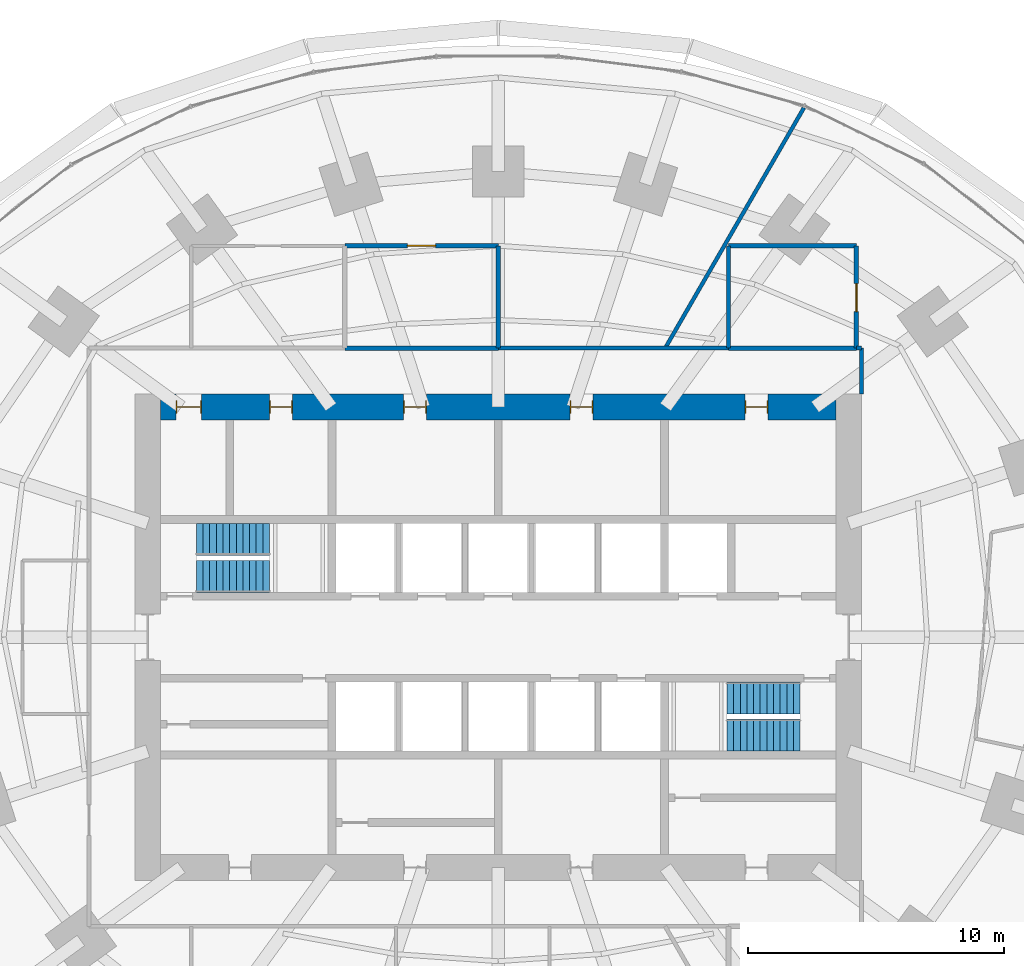
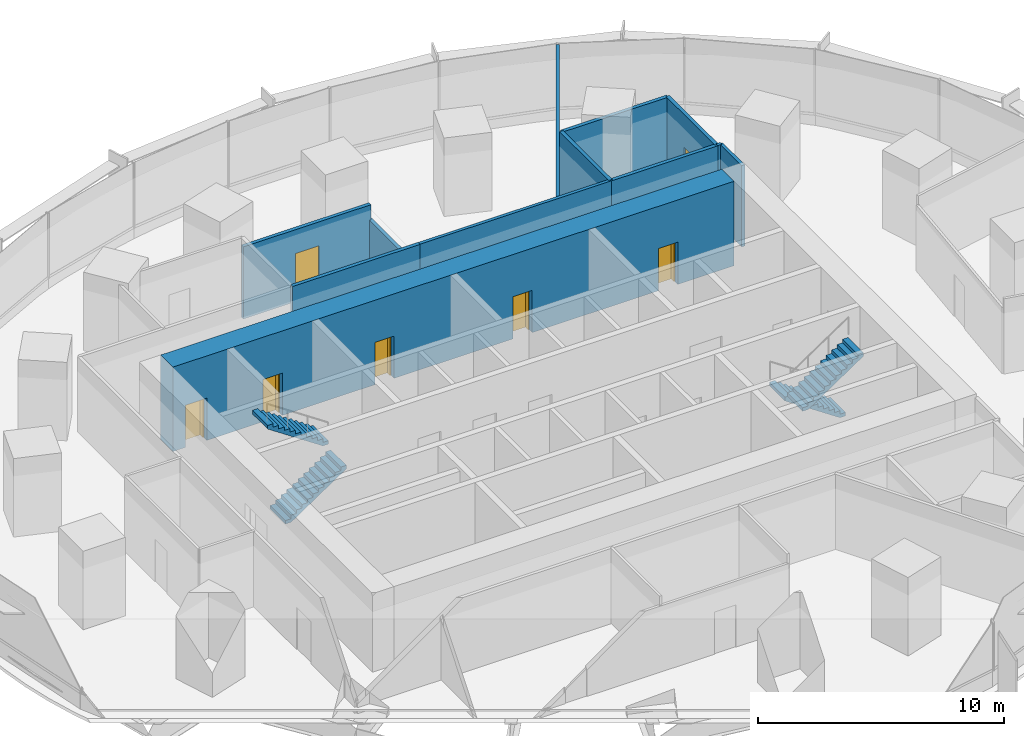
# One storey, part 13 of 15: 12 walls, 7 doors, 4 stair flights, 7 openings, 2 elements without a shape of their own.
"""IFC4 building model written with IfcOpenShell, lengths in metres."""

import ifcopenshell
import ifcopenshell.guid

model = None  # the IFC model being written
_history = None  # IfcOwnerHistory: only IFC2X3 demands one
_inside = {}  # id of a spatial element -> (the spatial element, [elements in it])
_under = {}  # id of a project, library or spatial element -> (it, [spatial elements below it])
_declared = {}  # id of a project -> (the project, [libraries it declares])
_typed = {}  # id of a type object -> (the type object, [elements of that type])
_made_of = {}  # id of a material, layer set ... -> (it, [elements and type objects made of it])


def new_model(schema):
    """Start an empty IFC model of exactly this schema.

    Asked for "IFC4X3", IfcOpenShell would pick the latest addendum, in which some entities
    have other attributes; the version numbers below select the first issue.
    IFC2X3 requires an IfcOwnerHistory on every rooted entity: one is made here for all.
    """
    global model, _history
    if schema == "IFC4X3":
        model = ifcopenshell.file(schema_version=(4, 3, 0, 0))
    else:
        model = ifcopenshell.file(schema=schema)
    _inside.clear()
    _under.clear()
    _declared.clear()
    _typed.clear()
    _made_of.clear()
    _history = None
    if model.schema == "IFC2X3":
        org = make("IfcOrganization", Name="unknown")
        user = make(
            "IfcPersonAndOrganization",
            ThePerson=make("IfcPerson", FamilyName="unknown"),
            TheOrganization=org,
        )
        app = make(
            "IfcApplication",
            ApplicationDeveloper=org,
            Version="unknown",
            ApplicationFullName="unknown",
            ApplicationIdentifier="unknown",
        )
        _history = make(
            "IfcOwnerHistory",
            OwningUser=user,
            OwningApplication=app,
            ChangeAction="ADDED",
            CreationDate=0,
        )
    return model


def make(cls, **values):
    """One entity of the class cls with the attributes given. An attribute that is None is left unset."""
    return model.create_entity(
        cls, **{name: value for name, value in values.items() if value is not None}
    )


def rooted(cls, **values):
    """An entity with a GlobalId (a new one), such as an element, a storey or a relation."""
    return make(cls, GlobalId=ifcopenshell.guid.new(), OwnerHistory=_history, **values)


def si_unit(unit_type, name, prefix=None):
    """IfcSIUnit, for example si_unit("LENGTHUNIT", "METRE", prefix="MILLI")."""
    return make("IfcSIUnit", UnitType=unit_type, Prefix=prefix, Name=name)


def assignment(units):
    """IfcUnitAssignment: the units of a project."""
    return None if units is None else make("IfcUnitAssignment", Units=units)


def point(xyz):
    """IfcCartesianPoint."""
    return None if xyz is None else make("IfcCartesianPoint", Coordinates=xyz)


def direction(xyz):
    """IfcDirection."""
    return None if xyz is None else make("IfcDirection", DirectionRatios=xyz)


def frame(location, z_axis=None, x_axis=None):
    """IfcAxis2Placement3D, a coordinate frame: its origin and axes. An axis left out is left unset."""
    return make(
        "IfcAxis2Placement3D",
        Location=point(location),
        Axis=direction(z_axis),
        RefDirection=direction(x_axis),
    )


def frame_2d(location, x_axis=None):
    """IfcAxis2Placement2D, a coordinate frame in the plane: its origin and x axis."""
    return make(
        "IfcAxis2Placement2D", Location=point(location), RefDirection=direction(x_axis)
    )


def origin():
    """The frame at (0, 0, 0) with its axes left unset."""
    return frame((0.0, 0.0, 0.0))


def place(relative_to, where):
    """IfcLocalPlacement: puts the frame where relative to a parent placement (None: the world)."""
    return make(
        "IfcLocalPlacement", PlacementRelTo=relative_to, RelativePlacement=where
    )


def context(
    kind, dimensions, precision=None, world=None, true_north=None, identifier=None
):
    """IfcGeometricRepresentationContext, for example the 3D "Model" context."""
    return make(
        "IfcGeometricRepresentationContext",
        ContextIdentifier=identifier,
        ContextType=kind,
        CoordinateSpaceDimension=dimensions,
        Precision=precision,
        WorldCoordinateSystem=world,
        TrueNorth=true_north,
    )


def subcontext(parent, identifier, kind, view, scale=None):
    """IfcGeometricRepresentationSubContext, for example "Body" below "Model"."""
    return make(
        "IfcGeometricRepresentationSubContext",
        ContextIdentifier=identifier,
        ContextType=kind,
        ParentContext=parent,
        TargetScale=scale,
        TargetView=view,
    )


def project(units=None, contexts=None):
    """IfcProject with its units and contexts."""
    return rooted(
        "IfcProject",
        Name="project",
        RepresentationContexts=contexts,
        UnitsInContext=assignment(units),
    )


def spatial(cls, under=None, at=None, **own):
    """A site, building, storey or space (cls), placed at a placement, below another one or the project."""
    s = rooted(cls, ObjectPlacement=at, **own)
    if under is not None:
        _under.setdefault(under.id(), (under, []))[1].append(s)
    return s


def polyline(points):
    """IfcPolyline through the points."""
    return make("IfcPolyline", Points=[point(p) for p in points])


def profile(cls, at=None, kind="AREA", **sizes):
    """A parametric profile (cls). Its sizes go by their IFC names, for example OverallWidth=200.0."""
    return make(cls, ProfileType=kind, Position=at, **sizes)


def rectangle(**sizes):
    """IfcRectangleProfileDef."""
    return profile("IfcRectangleProfileDef", **sizes)


def outline(outer, holes=None, kind="AREA"):
    """IfcArbitraryClosedProfileDef: a profile drawn as a closed curve; with holes, ...WithVoids."""
    if holes is None:
        return make("IfcArbitraryClosedProfileDef", ProfileType=kind, OuterCurve=outer)
    return make(
        "IfcArbitraryProfileDefWithVoids",
        ProfileType=kind,
        OuterCurve=outer,
        InnerCurves=holes,
    )


def extrude(swept, where, along, depth):
    """IfcExtrudedAreaSolid: the profile swept, set in the frame where, extruded along a direction by depth."""
    return make(
        "IfcExtrudedAreaSolid",
        SweptArea=swept,
        Position=where,
        ExtrudedDirection=direction(along),
        Depth=depth,
    )


def shape(context_of_items, identifier, shape_type, items):
    """IfcShapeRepresentation: the items that make up one representation, for example the "Body"."""
    return make(
        "IfcShapeRepresentation",
        ContextOfItems=context_of_items,
        RepresentationIdentifier=identifier,
        RepresentationType=shape_type,
        Items=items,
    )


def material(Name=None, Category=None):
    """IfcMaterial."""
    return make("IfcMaterial", Name=Name, Category=Category)


def layer(
    of_material, thickness, ventilated=None, Name=None, Category=None, Priority=None
):
    """IfcMaterialLayer: one layer of a wall or slab, of a material (None: an air gap)."""
    return make(
        "IfcMaterialLayer",
        Material=of_material,
        LayerThickness=thickness,
        IsVentilated=ventilated,
        Name=Name,
        Category=Category,
        Priority=Priority,
    )


def layer_set(layers, Name=None):
    """IfcMaterialLayerSet."""
    return make("IfcMaterialLayerSet", MaterialLayers=layers, LayerSetName=Name)


def made_of(thing, what):
    """Note that an element or type object is made of a material, layer set ...; save() writes the relation."""
    if what is not None:
        _made_of.setdefault(what.id(), (what, []))[1].append(thing)
    return thing


def type_object(cls, material=None, **own):
    """A type object (cls), such as IfcWallType, which elements share."""
    return made_of(rooted(cls, **own), material)


def element(
    cls,
    number,
    at=None,
    inside=None,
    cuts=None,
    type_object=None,
    material=None,
    context=None,
    identifier="Body",
    shape_type=None,
    held_by="IfcProductDefinitionShape",
    body=None,
    shapes=None,
    **own,
):
    """One element of the class cls, such as IfcWall. Its Tag is "e" and its number.

    at: its placement. inside: the storey or other place that contains it. cuts: it is an
    opening in that element (IfcRelVoidsElement). A single representation is given by context,
    identifier, shape_type and body (its items); several are given by shapes. held_by: the class
    of the entity that holds the representations. save() writes the other relations.
    """
    e = rooted(cls, Tag="e%d" % number, ObjectPlacement=at, **own)
    if body is not None:
        shapes = [shape(context, identifier, shape_type, body)]
    if shapes is not None:
        e.Representation = make(held_by, Representations=shapes)
    if inside is not None:
        _inside.setdefault(inside.id(), (inside, []))[1].append(e)
    if cuts is not None:
        rooted(
            "IfcRelVoidsElement", RelatingBuildingElement=cuts, RelatedOpeningElement=e
        )
    if type_object is not None:
        _typed.setdefault(type_object.id(), (type_object, []))[1].append(e)
    return made_of(e, material)


def fill(opening, filler):
    """IfcRelFillsElement: the door or window that sits in an opening."""
    return rooted(
        "IfcRelFillsElement",
        RelatingOpeningElement=opening,
        RelatedBuildingElement=filler,
    )


def aggregate(whole, parts):
    """IfcRelAggregates: a whole, such as a stair, and the parts it consists of."""
    return rooted("IfcRelAggregates", RelatingObject=whole, RelatedObjects=parts)


def save(model, path):
    """Write the relations noted so far, then the file.

    IfcRelAggregates (storeys below a building ...), IfcRelContainedInSpatialStructure (elements
    in a storey), IfcRelDefinesByType, IfcRelAssociatesMaterial and IfcRelDeclares: one each for
    every whole, place, type object, material and project.
    """
    for whole, parts in _under.values():
        aggregate(whole, parts)
    for where, things in _inside.values():
        rooted(
            "IfcRelContainedInSpatialStructure",
            RelatedElements=things,
            RelatingStructure=where,
        )
    for kind, things in _typed.values():
        rooted("IfcRelDefinesByType", RelatedObjects=things, RelatingType=kind)
    for what, things in _made_of.values():
        rooted("IfcRelAssociatesMaterial", RelatedObjects=things, RelatingMaterial=what)
    for by, libraries in _declared.values():
        rooted("IfcRelDeclares", RelatingContext=by, RelatedDefinitions=libraries)
    model.write(path)


model = new_model("IFC4")

# Units and contexts
model_context = context("Model", 3, precision=1e-05, world=origin(), true_north=direction((0.0, 1.0)))
body_context = subcontext(model_context, "Body", "Model", "MODEL_VIEW")
ifc_project = project(units=[si_unit("LENGTHUNIT", "METRE"), si_unit("AREAUNIT", "SQUARE_METRE"), si_unit("VOLUMEUNIT", "CUBIC_METRE"), si_unit("PLANEANGLEUNIT", "RADIAN"), si_unit("MASSUNIT", "GRAM", prefix="KILO")], contexts=[model_context])

# Site, building, storey
site_placement = place(None, origin())
site = spatial("IfcSite", under=ifc_project, at=site_placement, CompositionType="ELEMENT")
building_placement = place(site_placement, origin())
building = spatial("IfcBuilding", under=site, at=building_placement, Name="Marramba Exchange Tower", CompositionType="ELEMENT")
storey_placement = place(building_placement, frame((0.0, 0.0, 78.39990234375)))
storey = spatial("IfcBuildingStorey", under=building, at=storey_placement, Name="L18", CompositionType="ELEMENT", Elevation=78.39990234375)

# Wall, opening, door
ifc_material_1 = material(Name="Plasterboard on staggered double steel studs, acoustic insulation", Category="steel")
ifc_layer_1 = layer(ifc_material_1, 0.169921875)
ifc_layer_set_1 = layer_set([ifc_layer_1], Name="Acoustic partition 170")
wall_type_1 = type_object("IfcWallType", Name="Acoustic partition 170", PredefinedType="PARTITIONING", material=ifc_layer_set_1)
wall_1_placement = place(storey_placement, frame((14.0, 11.300048828125, 0.0), z_axis=(0.0, 0.0, 1.0), x_axis=(0.0, 1.0, 0.0)))
wall_1 = element("IfcWall", 1, at=wall_1_placement, inside=storey, type_object=wall_type_1, Name="Acoustic partition L18 19", PredefinedType="PARTITIONING", context=body_context, shape_type="SweptSolid", body=[
    extrude(rectangle(XDim=4.0, YDim=0.169921875, at=frame_2d((2.0, 0.0))), origin(), (0.0, 0.0, 1.0), 4.0400390625),
])
opening_1_placement = place(wall_1_placement, frame((1.424072265625, 0.0, 0.0)))
opening_1 = element("IfcOpeningElement", 2, at=opening_1_placement, cuts=wall_1, Name="Opening D15", PredefinedType="OPENING", context=body_context, shape_type="SweptSolid", body=[
    extrude(rectangle(XDim=1.10009765625, YDim=2.39990234375, at=frame_2d((0.550048828125, 1.199951171875))), frame((0.0, 0.094970703125, 0.0), z_axis=(0.0, -1.0, 0.0), x_axis=(1.0, 0.0, 0.0)), (0.0, 0.0, 1.0), 0.18994140625),
])
ifc_material_2 = material(Name="Timber door", Category="wood")
door_type_1 = type_object("IfcDoorType", Name="Glazed meeting room door 1100x2400", OperationType="SINGLE_SWING_LEFT", PredefinedType="DOOR", material=ifc_material_2)
door_1_placement = place(opening_1_placement, origin())
door_1 = element("IfcDoor", 3, at=door_1_placement, inside=storey, type_object=door_type_1, Name="D15 Meeting Room 1 L18", OperationType="SINGLE_SWING_LEFT", OverallHeight=2.39990234375, OverallWidth=1.10009765625, PredefinedType="DOOR", context=body_context, shape_type="SweptSolid", body=[
    extrude(rectangle(XDim=1.10009765625, YDim=2.39990234375, at=frame_2d((0.550048828125, 1.199951171875))), frame((0.0, 0.02490234375, 0.0), z_axis=(0.0, -1.0, 0.0), x_axis=(1.0, 0.0, 0.0)), (0.0, 0.0, 1.0), 0.050048828125),
])
fill(opening_1, door_1)

# Walls
for number, where, z_axis, x_axis, name in (
    (4, (9.0, 11.300048828125, 0.0), (0.0, 0.0, 1.0), (1.0, 0.0, 0.0), "Acoustic partition L18 20"),
    (5, (14.0, 15.300048828125, 0.0), (0.0, 0.0, 1.0), (-1.0, 0.0, 0.0), "Acoustic partition L18 21"),
):
    element("IfcWall", number, at=place(storey_placement, frame(where, z_axis=z_axis, x_axis=x_axis)), inside=storey, type_object=wall_type_1, Name=name, PredefinedType="PARTITIONING", context=body_context, shape_type="SweptSolid", body=[
        extrude(rectangle(XDim=5.0, YDim=0.169921875, at=frame_2d((2.5, 0.0))), origin(), (0.0, 0.0, 1.0), 4.0400390625),
    ])
wall_2_placement = place(storey_placement, frame((9.0, 15.300048828125, 0.0), z_axis=(0.0, 0.0, 1.0), x_axis=(0.0, -1.0, 0.0)))
element("IfcWall", 6, at=wall_2_placement, inside=storey, type_object=wall_type_1, Name="Acoustic partition L18 22", PredefinedType="PARTITIONING", context=body_context, shape_type="SweptSolid", body=[
    extrude(rectangle(XDim=4.0, YDim=0.169921875, at=frame_2d((2.0, 0.0))), origin(), (0.0, 0.0, 1.0), 4.0400390625),
])
wall_3_placement = place(storey_placement, frame((0.0, 11.300048828125, 0.0), z_axis=(0.0, 0.0, 1.0), x_axis=(0.0, 1.0, 0.0)))
element("IfcWall", 7, at=wall_3_placement, inside=storey, type_object=wall_type_1, Name="Acoustic partition L18 25", PredefinedType="PARTITIONING", context=body_context, shape_type="SweptSolid", body=[
    extrude(rectangle(XDim=4.0, YDim=0.169921875, at=frame_2d((2.0, 0.0))), origin(), (0.0, 0.0, 1.0), 2.840087890625),
])

# Wall, opening, door
wall_4_placement = place(storey_placement, frame((0.0, 15.300048828125, 0.0), z_axis=(0.0, 0.0, 1.0), x_axis=(-1.0, 0.0, 0.0)))
wall_4 = element("IfcWall", 8, at=wall_4_placement, inside=storey, type_object=wall_type_1, Name="Acoustic partition L18 26", PredefinedType="PARTITIONING", context=body_context, shape_type="SweptSolid", body=[
    extrude(rectangle(XDim=6.0, YDim=0.169921875, at=frame_2d((3.0, 0.0))), origin(), (0.0, 0.0, 1.0), 3.586181640625),
])
opening_2_placement = place(wall_4_placement, frame((2.449951171875, 0.0, 0.0)))
opening_2 = element("IfcOpeningElement", 9, at=opening_2_placement, cuts=wall_4, Name="Opening D15", PredefinedType="OPENING", context=body_context, shape_type="SweptSolid", body=[
    extrude(rectangle(XDim=1.10009765625, YDim=2.39990234375, at=frame_2d((0.550048828125, 1.199951171875))), frame((0.0, 0.094970703125, 0.0), z_axis=(0.0, -1.0, 0.0), x_axis=(1.0, 0.0, 0.0)), (0.0, 0.0, 1.0), 0.18994140625),
])
door_2_placement = place(opening_2_placement, origin())
door_2 = element("IfcDoor", 10, at=door_2_placement, inside=storey, type_object=door_type_1, Name="D15 Meeting Room 2 L18", OperationType="SINGLE_SWING_RIGHT", OverallHeight=2.39990234375, OverallWidth=1.10009765625, PredefinedType="DOOR", context=body_context, shape_type="SweptSolid", body=[
    extrude(rectangle(XDim=1.10009765625, YDim=2.39990234375, at=frame_2d((0.550048828125, 1.199951171875))), frame((0.0, 0.02490234375, 0.0), z_axis=(0.0, -1.0, 0.0), x_axis=(1.0, 0.0, 0.0)), (0.0, 0.0, 1.0), 0.050048828125),
])
fill(opening_2, door_2)

# Wall
wall_5_placement = place(storey_placement, frame((-6.0, 11.300048828125, 0.0), z_axis=(0.0, 0.0, 1.0), x_axis=(1.0, 0.0, 0.0)))
element("IfcWall", 11, at=wall_5_placement, inside=storey, type_object=wall_type_1, Name="Acoustic partition L18 27", PredefinedType="PARTITIONING", context=body_context, shape_type="SweptSolid", body=[
    extrude(rectangle(XDim=6.0, YDim=0.169921875, at=frame_2d((3.0, 0.0))), origin(), (0.0, 0.0, 1.0), 4.0400390625),
])

# Wall, openings, doors
ifc_material_3 = material(Name="Concrete N50", Category="concrete")
ifc_layer_2 = layer(ifc_material_3, 1.0)
ifc_layer_set_2 = layer_set([ifc_layer_2], Name="Core wall 1000")
wall_type_2 = type_object("IfcWallType", Name="Core wall 1000", PredefinedType="SHEAR", material=ifc_layer_set_2)
wall_6_placement = place(storey_placement, frame((13.199951171875, 9.0, 0.0), z_axis=(0.0, 0.0, 1.0), x_axis=(-1.0, 0.0, 0.0)))
wall_6 = element("IfcWall", 12, at=wall_6_placement, inside=storey, type_object=wall_type_2, Name="Core wall N L18", PredefinedType="SHEAR", context=body_context, shape_type="SweptSolid", body=[
    extrude(rectangle(XDim=26.39990234375, YDim=1.0, at=frame_2d((13.199951171875, 0.0))), origin(), (0.0, 0.0, 1.0), 4.2001953125),
])
opening_3_placement = place(wall_6_placement, frame((2.64990234375, 0.0, 0.0)))
opening_3 = element("IfcOpeningElement", 13, at=opening_3_placement, cuts=wall_6, Name="Opening D5", PredefinedType="OPENING", context=body_context, shape_type="SweptSolid", body=[
    extrude(rectangle(XDim=0.89990234375, YDim=2.10009765625, at=frame_2d((0.449951171875, 1.050048828125))), frame((0.0, 0.510009765625, 0.0), z_axis=(0.0, -1.0, 0.0), x_axis=(1.0, 0.0, 0.0)), (0.0, 0.0, 1.0), 1.02001953125),
])
opening_4_placement = place(wall_6_placement, frame((9.5, 0.0, 0.0)))
opening_4 = element("IfcOpeningElement", 14, at=opening_4_placement, cuts=wall_6, Name="Opening D3", PredefinedType="OPENING", context=body_context, shape_type="SweptSolid", body=[
    extrude(rectangle(XDim=0.89990234375, YDim=2.10009765625, at=frame_2d((0.449951171875, 1.050048828125))), frame((0.0, 0.510009765625, 0.0), z_axis=(0.0, -1.0, 0.0), x_axis=(1.0, 0.0, 0.0)), (0.0, 0.0, 1.0), 1.02001953125),
])
opening_5_placement = place(wall_6_placement, frame((16.0, 0.0, 0.0)))
opening_5 = element("IfcOpeningElement", 15, at=opening_5_placement, cuts=wall_6, Name="Opening D3", PredefinedType="OPENING", context=body_context, shape_type="SweptSolid", body=[
    extrude(rectangle(XDim=0.89990234375, YDim=2.10009765625, at=frame_2d((0.449951171875, 1.050048828125))), frame((0.0, 0.510009765625, 0.0), z_axis=(0.0, -1.0, 0.0), x_axis=(1.0, 0.0, 0.0)), (0.0, 0.0, 1.0), 1.02001953125),
])
opening_6_placement = place(wall_6_placement, frame((21.25, 0.0, 0.0)))
opening_6 = element("IfcOpeningElement", 16, at=opening_6_placement, cuts=wall_6, Name="Opening D5", PredefinedType="OPENING", context=body_context, shape_type="SweptSolid", body=[
    extrude(rectangle(XDim=0.89990234375, YDim=2.10009765625, at=frame_2d((0.449951171875, 1.050048828125))), frame((0.0, 0.510009765625, 0.0), z_axis=(0.0, -1.0, 0.0), x_axis=(1.0, 0.0, 0.0)), (0.0, 0.0, 1.0), 1.02001953125),
])
opening_7_placement = place(wall_6_placement, frame((24.800048828125, 0.0, 0.0)))
opening_7 = element("IfcOpeningElement", 17, at=opening_7_placement, cuts=wall_6, Name="Opening D4", PredefinedType="OPENING", context=body_context, shape_type="SweptSolid", body=[
    extrude(rectangle(XDim=1.0, YDim=2.10009765625, at=frame_2d((0.5, 1.050048828125))), frame((0.0, 0.510009765625, 0.0), z_axis=(0.0, -1.0, 0.0), x_axis=(1.0, 0.0, 0.0)), (0.0, 0.0, 1.0), 1.02001953125),
])
ifc_material_4 = material(Name="Steel-framed door", Category="steel")
door_type_2 = type_object("IfcDoorType", Name="Accessible toilet door 1000x2100", OperationType="SINGLE_SWING_LEFT", PredefinedType="DOOR", material=ifc_material_4)
door_3_placement = place(opening_7_placement, origin())
door_3 = element("IfcDoor", 18, at=door_3_placement, inside=storey, type_object=door_type_2, Name="D4 awc L18", OperationType="SINGLE_SWING_RIGHT", OverallHeight=2.10009765625, OverallWidth=1.0, PredefinedType="DOOR", context=body_context, shape_type="SweptSolid", body=[
    extrude(rectangle(XDim=0.919921875, YDim=2.06005859375, at=frame_2d((0.5, 1.030029296875))), frame((0.0, 0.02490234375, 0.0), z_axis=(0.0, -1.0, 0.0), x_axis=(1.0, 0.0, 0.0)), (0.0, 0.0, 1.0), 0.050048828125),
    extrude(rectangle(XDim=0.04, YDim=2.10009765625, at=frame_2d((0.02001953125, 1.050048828125))), frame((0.0, 0.25, 0.0), z_axis=(0.0, -1.0, 0.0), x_axis=(1.0, 0.0, 0.0)), (0.0, 0.0, 1.0), 0.5),
    extrude(rectangle(XDim=0.04, YDim=2.10009765625, at=frame_2d((0.97998046875, 1.050048828125))), frame((0.0, 0.25, 0.0), z_axis=(0.0, -1.0, 0.0), x_axis=(1.0, 0.0, 0.0)), (0.0, 0.0, 1.0), 0.5),
    extrude(rectangle(XDim=0.919921875, YDim=0.04, at=frame_2d((0.5, 2.080078125))), frame((0.0, 0.25, 0.0), z_axis=(0.0, -1.0, 0.0), x_axis=(1.0, 0.0, 0.0)), (0.0, 0.0, 1.0), 0.5),
])
fill(opening_7, door_3)
door_type_3 = type_object("IfcDoorType", Name="Service door 900x2100", OperationType="SINGLE_SWING_LEFT", PredefinedType="DOOR", material=ifc_material_4)
door_4_placement = place(opening_3_placement, origin())
door_4 = element("IfcDoor", 19, at=door_4_placement, inside=storey, type_object=door_type_3, Name="D5 comms L18", OperationType="SINGLE_SWING_LEFT", OverallHeight=2.10009765625, OverallWidth=0.89990234375, PredefinedType="DOOR", context=body_context, shape_type="SweptSolid", body=[
    extrude(rectangle(XDim=0.81982421875, YDim=2.06005859375, at=frame_2d((0.449951171875, 1.030029296875))), frame((0.0, 0.02490234375, 0.0), z_axis=(0.0, -1.0, 0.0), x_axis=(1.0, 0.0, 0.0)), (0.0, 0.0, 1.0), 0.050048828125),
    extrude(rectangle(XDim=0.04, YDim=2.10009765625, at=frame_2d((0.02001953125, 1.050048828125))), frame((0.0, 0.25, 0.0), z_axis=(0.0, -1.0, 0.0), x_axis=(1.0, 0.0, 0.0)), (0.0, 0.0, 1.0), 0.5),
    extrude(rectangle(XDim=0.04, YDim=2.10009765625, at=frame_2d((0.8798828125, 1.050048828125))), frame((0.0, 0.25, 0.0), z_axis=(0.0, -1.0, 0.0), x_axis=(1.0, 0.0, 0.0)), (0.0, 0.0, 1.0), 0.5),
    extrude(rectangle(XDim=0.81982421875, YDim=0.04, at=frame_2d((0.449951171875, 2.080078125))), frame((0.0, 0.25, 0.0), z_axis=(0.0, -1.0, 0.0), x_axis=(1.0, 0.0, 0.0)), (0.0, 0.0, 1.0), 0.5),
])
fill(opening_3, door_4)
door_5_placement = place(opening_6_placement, origin())
door_5 = element("IfcDoor", 20, at=door_5_placement, inside=storey, type_object=door_type_3, Name="D5 cleaner L18", OperationType="SINGLE_SWING_RIGHT", OverallHeight=2.10009765625, OverallWidth=0.89990234375, PredefinedType="DOOR", context=body_context, shape_type="SweptSolid", body=[
    extrude(rectangle(XDim=0.81982421875, YDim=2.06005859375, at=frame_2d((0.449951171875, 1.030029296875))), frame((0.0, 0.02490234375, 0.0), z_axis=(0.0, -1.0, 0.0), x_axis=(1.0, 0.0, 0.0)), (0.0, 0.0, 1.0), 0.050048828125),
    extrude(rectangle(XDim=0.04, YDim=2.10009765625, at=frame_2d((0.02001953125, 1.050048828125))), frame((0.0, 0.25, 0.0), z_axis=(0.0, -1.0, 0.0), x_axis=(1.0, 0.0, 0.0)), (0.0, 0.0, 1.0), 0.5),
    extrude(rectangle(XDim=0.04, YDim=2.10009765625, at=frame_2d((0.8798828125, 1.050048828125))), frame((0.0, 0.25, 0.0), z_axis=(0.0, -1.0, 0.0), x_axis=(1.0, 0.0, 0.0)), (0.0, 0.0, 1.0), 0.5),
    extrude(rectangle(XDim=0.81982421875, YDim=0.04, at=frame_2d((0.449951171875, 2.080078125))), frame((0.0, 0.25, 0.0), z_axis=(0.0, -1.0, 0.0), x_axis=(1.0, 0.0, 0.0)), (0.0, 0.0, 1.0), 0.5),
])
fill(opening_6, door_5)
door_type_4 = type_object("IfcDoorType", Name="Toilet door 900x2100", OperationType="SINGLE_SWING_LEFT", PredefinedType="DOOR", material=ifc_material_4)
door_6_placement = place(opening_4_placement, origin())
door_6 = element("IfcDoor", 21, at=door_6_placement, inside=storey, type_object=door_type_4, Name="D3 wc-f L18", OperationType="SINGLE_SWING_RIGHT", OverallHeight=2.10009765625, OverallWidth=0.89990234375, PredefinedType="DOOR", context=body_context, shape_type="SweptSolid", body=[
    extrude(rectangle(XDim=0.81982421875, YDim=2.06005859375, at=frame_2d((0.449951171875, 1.030029296875))), frame((0.0, 0.02490234375, 0.0), z_axis=(0.0, -1.0, 0.0), x_axis=(1.0, 0.0, 0.0)), (0.0, 0.0, 1.0), 0.050048828125),
    extrude(rectangle(XDim=0.04, YDim=2.10009765625, at=frame_2d((0.02001953125, 1.050048828125))), frame((0.0, 0.25, 0.0), z_axis=(0.0, -1.0, 0.0), x_axis=(1.0, 0.0, 0.0)), (0.0, 0.0, 1.0), 0.5),
    extrude(rectangle(XDim=0.04, YDim=2.10009765625, at=frame_2d((0.8798828125, 1.050048828125))), frame((0.0, 0.25, 0.0), z_axis=(0.0, -1.0, 0.0), x_axis=(1.0, 0.0, 0.0)), (0.0, 0.0, 1.0), 0.5),
    extrude(rectangle(XDim=0.81982421875, YDim=0.04, at=frame_2d((0.449951171875, 2.080078125))), frame((0.0, 0.25, 0.0), z_axis=(0.0, -1.0, 0.0), x_axis=(1.0, 0.0, 0.0)), (0.0, 0.0, 1.0), 0.5),
])
fill(opening_4, door_6)
door_7_placement = place(opening_5_placement, origin())
door_7 = element("IfcDoor", 22, at=door_7_placement, inside=storey, type_object=door_type_4, Name="D3 wc-m L18", OperationType="SINGLE_SWING_RIGHT", OverallHeight=2.10009765625, OverallWidth=0.89990234375, PredefinedType="DOOR", context=body_context, shape_type="SweptSolid", body=[
    extrude(rectangle(XDim=0.81982421875, YDim=2.06005859375, at=frame_2d((0.449951171875, 1.030029296875))), frame((0.0, 0.02490234375, 0.0), z_axis=(0.0, -1.0, 0.0), x_axis=(1.0, 0.0, 0.0)), (0.0, 0.0, 1.0), 0.050048828125),
    extrude(rectangle(XDim=0.04, YDim=2.10009765625, at=frame_2d((0.02001953125, 1.050048828125))), frame((0.0, 0.25, 0.0), z_axis=(0.0, -1.0, 0.0), x_axis=(1.0, 0.0, 0.0)), (0.0, 0.0, 1.0), 0.5),
    extrude(rectangle(XDim=0.04, YDim=2.10009765625, at=frame_2d((0.8798828125, 1.050048828125))), frame((0.0, 0.25, 0.0), z_axis=(0.0, -1.0, 0.0), x_axis=(1.0, 0.0, 0.0)), (0.0, 0.0, 1.0), 0.5),
    extrude(rectangle(XDim=0.81982421875, YDim=0.04, at=frame_2d((0.449951171875, 2.080078125))), frame((0.0, 0.25, 0.0), z_axis=(0.0, -1.0, 0.0), x_axis=(1.0, 0.0, 0.0)), (0.0, 0.0, 1.0), 0.5),
])
fill(opening_5, door_7)

# Walls
ifc_material_5 = material(Name="Fire-rated plasterboard on steel studs, acoustic insulation", Category="steel")
ifc_layer_3 = layer(ifc_material_5, 0.14990234375)
ifc_layer_set_3 = layer_set([ifc_layer_3], Name="Tenancy wall 150")
wall_type_3 = type_object("IfcWallType", Name="Tenancy wall 150", PredefinedType="PARTITIONING", material=ifc_layer_set_3)
wall_7_placement = place(storey_placement, frame((14.199951171875, 9.5, 0.0), z_axis=(0.0, 0.0, 1.0), x_axis=(0.0, 1.0, 0.0)))
element("IfcWall", 23, at=wall_7_placement, inside=storey, type_object=wall_type_3, Name="Tenancy wall L18 17", PredefinedType="PARTITIONING", context=body_context, shape_type="SweptSolid", body=[
    extrude(rectangle(XDim=1.800048828125, YDim=0.14990234375, at=frame_2d((0.89990234375, 0.0))), origin(), (0.0, 0.0, 1.0), 4.0400390625),
])
wall_8_placement = place(storey_placement, frame((14.199951171875, 11.300048828125, 0.0), z_axis=(0.0, 0.0, 1.0), x_axis=(-1.0, 0.0, 0.0)))
element("IfcWall", 24, at=wall_8_placement, inside=storey, type_object=wall_type_3, Name="Tenancy wall L18 18", PredefinedType="PARTITIONING", context=body_context, shape_type="SweptSolid", body=[
    extrude(rectangle(XDim=0.199951171875, YDim=0.14990234375, at=frame_2d((0.10009765625, 0.0))), origin(), (0.0, 0.0, 1.0), 4.0400390625),
])
wall_9_placement = place(storey_placement, frame((6.524169921875, 11.300048828125, 0.0), z_axis=(0.0, 0.0, 1.0), x_axis=(0.499989292232, 0.866031585829, 0.0)))
element("IfcWall", 25, at=wall_9_placement, inside=storey, type_object=wall_type_3, Name="Tenancy wall L18 23", PredefinedType="PARTITIONING", context=body_context, shape_type="SweptSolid", body=[
    extrude(rectangle(XDim=10.850341796875, YDim=0.14990234375, at=frame_2d((5.42529296875, 0.0))), origin(), (0.0, 0.0, 1.0), 4.0400390625),
])
wall_10_placement = place(storey_placement, frame((9.0, 11.300048828125, 0.0), z_axis=(0.0, 0.0, 1.0), x_axis=(-1.0, 0.0, 0.0)))
element("IfcWall", 26, at=wall_10_placement, inside=storey, type_object=wall_type_3, Name="Tenancy wall L18 24", PredefinedType="PARTITIONING", context=body_context, shape_type="SweptSolid", body=[
    extrude(rectangle(XDim=9.0, YDim=0.14990234375, at=frame_2d((4.5, 0.0))), origin(), (0.0, 0.0, 1.0), 4.0400390625),
])

# Stair, stair flights
ifc_material_6 = material(Name="Concrete N40 (40 MPa)", Category="concrete")
stair_type_1 = type_object("IfcStairType", Name="Exit stair ST1 4200 x 1250", PredefinedType="HALF_TURN_STAIR", material=ifc_material_6)
stair_1_placement = place(storey_placement, origin())
stair_1 = element("IfcStair", 27, at=stair_1_placement, inside=storey, type_object=stair_type_1, Name="Exit stair ST1 L18", PredefinedType="HALF_TURN_STAIR")
stair_flight_type_1 = type_object("IfcStairFlightType", Name="ST1 stair flight 1750 riser 1250 wide", PredefinedType="STRAIGHT", material=ifc_material_6)
stair_flight_1_placement = place(storey_placement, frame((-11.800048828125, 2.375, 0.0), z_axis=(0.0, 0.0, 1.0), x_axis=(1.0, 0.0, 0.0)))
stair_flight_1 = element("IfcStairFlight", 28, at=stair_flight_1_placement, type_object=stair_flight_type_1, Name="ST1 flight 1", NumberOfRisers=12, NumberOfTreads=11, PredefinedType="STRAIGHT", RiserHeight=0.175, TreadLength=0.26, context=body_context, shape_type="SweptSolid", body=[
    extrude(outline(polyline([(0.0, 0.0), (0.0, 0.175048828125), (0.260009765625, 0.175048828125), (0.260009765625, 0.35009765625), (0.52001953125, 0.35009765625), (0.52001953125, 0.52490234375), (0.780029296875, 0.52490234375), (0.780029296875, 0.699951171875), (1.0400390625, 0.699951171875), (1.0400390625, 0.875), (1.300048828125, 0.875), (1.300048828125, 1.050048828125), (1.56005859375, 1.050048828125), (1.56005859375, 1.22509765625), (1.820068359375, 1.22509765625), (1.820068359375, 1.39990234375), (2.080078125, 1.39990234375), (2.080078125, 1.574951171875), (2.340087890625, 1.574951171875), (2.340087890625, 1.75), (2.60009765625, 1.75), (2.60009765625, 1.925048828125), (2.860107421875, 1.925048828125), (2.860107421875, 2.10009765625), (2.860107421875, 1.744384765625), (0.2685546875, 0.0), (0.0, 0.0)])), frame((0.0, 0.625, 0.0), z_axis=(0.0, -1.0, 0.0), x_axis=(1.0, 0.0, 0.0)), (0.0, 0.0, 1.0), 1.25),
])
stair_flight_2_placement = place(storey_placement, frame((-8.93994140625, 3.824951171875, 2.10009765625), z_axis=(0.0, 0.0, 1.0), x_axis=(-1.0, 0.0, 0.0)))
stair_flight_2 = element("IfcStairFlight", 29, at=stair_flight_2_placement, type_object=stair_flight_type_1, Name="ST1 flight 2", NumberOfRisers=12, NumberOfTreads=11, PredefinedType="STRAIGHT", RiserHeight=0.175, TreadLength=0.26, context=body_context, shape_type="SweptSolid", body=[
    extrude(outline(polyline([(0.0, 0.0), (0.0, 0.175048828125), (0.260009765625, 0.175048828125), (0.260009765625, 0.35009765625), (0.52001953125, 0.35009765625), (0.52001953125, 0.52490234375), (0.780029296875, 0.52490234375), (0.780029296875, 0.699951171875), (1.0400390625, 0.699951171875), (1.0400390625, 0.875), (1.300048828125, 0.875), (1.300048828125, 1.050048828125), (1.56005859375, 1.050048828125), (1.56005859375, 1.22509765625), (1.820068359375, 1.22509765625), (1.820068359375, 1.39990234375), (2.080078125, 1.39990234375), (2.080078125, 1.574951171875), (2.340087890625, 1.574951171875), (2.340087890625, 1.75), (2.60009765625, 1.75), (2.60009765625, 1.925048828125), (2.860107421875, 1.925048828125), (2.860107421875, 2.10009765625), (2.860107421875, 1.744384765625), (0.2685546875, 0.0), (0.0, 0.0)])), frame((0.0, 0.625, 0.0), z_axis=(0.0, -1.0, 0.0), x_axis=(1.0, 0.0, 0.0)), (0.0, 0.0, 1.0), 1.25),
])
aggregate(stair_1, [stair_flight_1, stair_flight_2])

stair_type_2 = type_object("IfcStairType", Name="Exit stair ST2 4200 x 1250", PredefinedType="HALF_TURN_STAIR", material=ifc_material_6)
stair_2_placement = place(storey_placement, origin())
stair_2 = element("IfcStair", 30, at=stair_2_placement, inside=storey, type_object=stair_type_2, Name="Exit stair ST2 L18", PredefinedType="HALF_TURN_STAIR")
stair_flight_type_2 = type_object("IfcStairFlightType", Name="ST2 stair flight 1750 riser 1250 wide", PredefinedType="STRAIGHT", material=ifc_material_6)
stair_flight_3_placement = place(storey_placement, frame((11.800048828125, -2.375, 0.0), z_axis=(0.0, 0.0, 1.0), x_axis=(-1.0, 0.0, 0.0)))
stair_flight_3 = element("IfcStairFlight", 31, at=stair_flight_3_placement, type_object=stair_flight_type_2, Name="ST2 flight 1", NumberOfRisers=12, NumberOfTreads=11, PredefinedType="STRAIGHT", RiserHeight=0.175, TreadLength=0.26, context=body_context, shape_type="SweptSolid", body=[
    extrude(outline(polyline([(0.0, 0.0), (0.0, 0.175048828125), (0.260009765625, 0.175048828125), (0.260009765625, 0.35009765625), (0.52001953125, 0.35009765625), (0.52001953125, 0.52490234375), (0.780029296875, 0.52490234375), (0.780029296875, 0.699951171875), (1.0400390625, 0.699951171875), (1.0400390625, 0.875), (1.300048828125, 0.875), (1.300048828125, 1.050048828125), (1.56005859375, 1.050048828125), (1.56005859375, 1.22509765625), (1.820068359375, 1.22509765625), (1.820068359375, 1.39990234375), (2.080078125, 1.39990234375), (2.080078125, 1.574951171875), (2.340087890625, 1.574951171875), (2.340087890625, 1.75), (2.60009765625, 1.75), (2.60009765625, 1.925048828125), (2.860107421875, 1.925048828125), (2.860107421875, 2.10009765625), (2.860107421875, 1.744384765625), (0.2685546875, 0.0), (0.0, 0.0)])), frame((0.0, 0.625, 0.0), z_axis=(0.0, -1.0, 0.0), x_axis=(1.0, 0.0, 0.0)), (0.0, 0.0, 1.0), 1.25),
])
stair_flight_4_placement = place(storey_placement, frame((8.93994140625, -3.824951171875, 2.10009765625), z_axis=(0.0, 0.0, 1.0), x_axis=(1.0, 0.0, 0.0)))
stair_flight_4 = element("IfcStairFlight", 32, at=stair_flight_4_placement, type_object=stair_flight_type_2, Name="ST2 flight 2", NumberOfRisers=12, NumberOfTreads=11, PredefinedType="STRAIGHT", RiserHeight=0.175, TreadLength=0.26, context=body_context, shape_type="SweptSolid", body=[
    extrude(outline(polyline([(0.0, 0.0), (0.0, 0.175048828125), (0.260009765625, 0.175048828125), (0.260009765625, 0.35009765625), (0.52001953125, 0.35009765625), (0.52001953125, 0.52490234375), (0.780029296875, 0.52490234375), (0.780029296875, 0.699951171875), (1.0400390625, 0.699951171875), (1.0400390625, 0.875), (1.300048828125, 0.875), (1.300048828125, 1.050048828125), (1.56005859375, 1.050048828125), (1.56005859375, 1.22509765625), (1.820068359375, 1.22509765625), (1.820068359375, 1.39990234375), (2.080078125, 1.39990234375), (2.080078125, 1.574951171875), (2.340087890625, 1.574951171875), (2.340087890625, 1.75), (2.60009765625, 1.75), (2.60009765625, 1.925048828125), (2.860107421875, 1.925048828125), (2.860107421875, 2.10009765625), (2.860107421875, 1.744384765625), (0.2685546875, 0.0), (0.0, 0.0)])), frame((0.0, 0.625, 0.0), z_axis=(0.0, -1.0, 0.0), x_axis=(1.0, 0.0, 0.0)), (0.0, 0.0, 1.0), 1.25),
])
aggregate(stair_2, [stair_flight_3, stair_flight_4])

save(model, "model.ifc")
